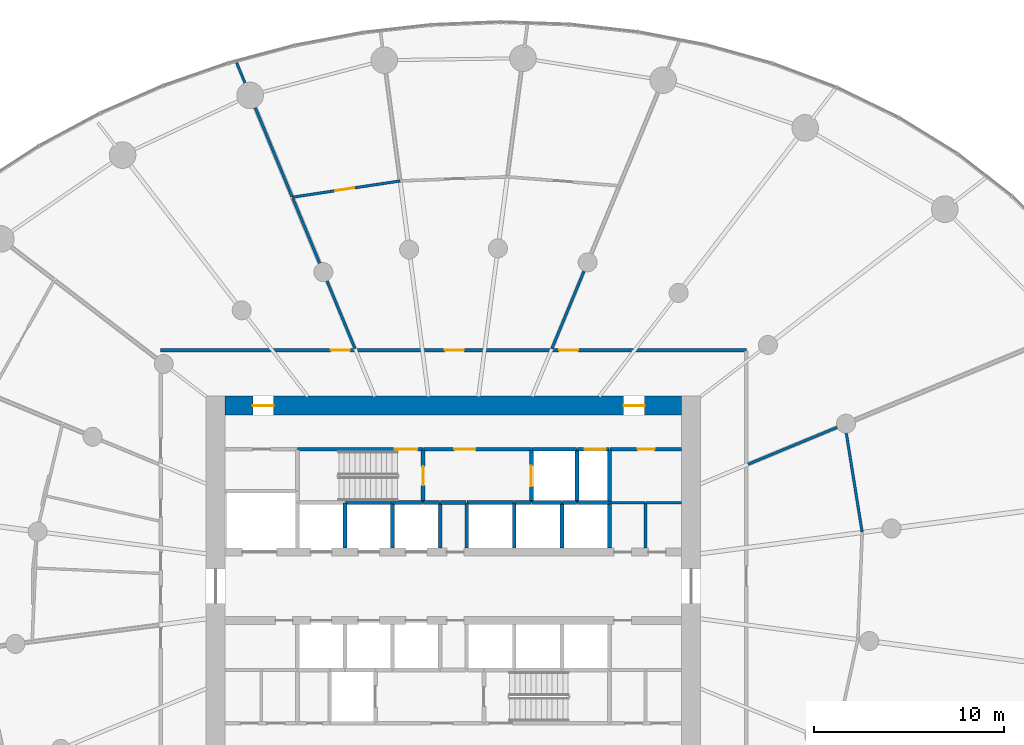
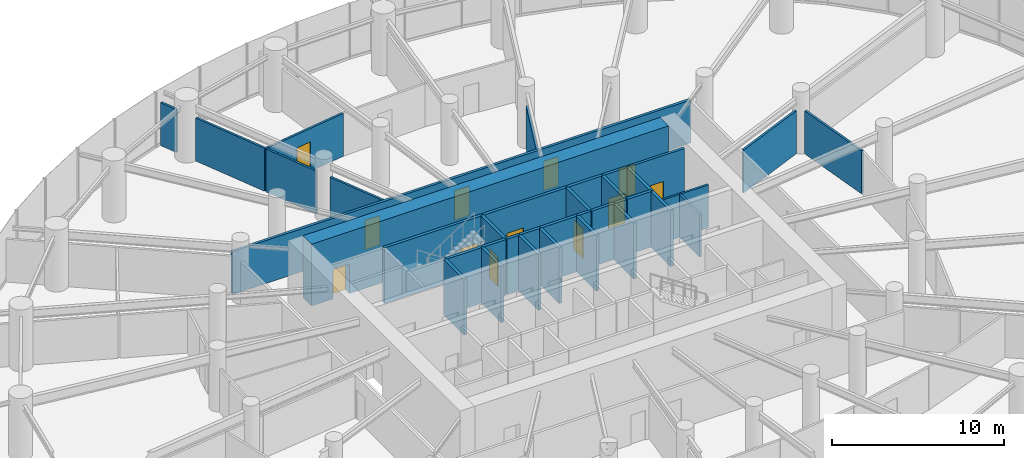
# One storey, part 14 of 18: 38 walls, 12 doors, 12 openings.
"""IFC4 building model written with IfcOpenShell, lengths in metres."""

from ifc_helpers import new_model, si_unit, direction, frame, frame_2d, origin, place, context, subcontext, project, spatial, rectangle, extrude, source, transform, mapped, material, layer, layer_set, type_object, element, fill, save


model = new_model("IFC4")

# Units and contexts
model_context = context("Model", 3, precision=1e-05, world=origin(), true_north=direction((0.0, 1.0)))
body_context = subcontext(model_context, "Body", "Model", "MODEL_VIEW")
ifc_project = project(units=[si_unit("LENGTHUNIT", "METRE"), si_unit("AREAUNIT", "SQUARE_METRE"), si_unit("VOLUMEUNIT", "CUBIC_METRE"), si_unit("PLANEANGLEUNIT", "RADIAN"), si_unit("MASSUNIT", "GRAM", prefix="KILO")], contexts=[model_context])

# Site, building, storey
site_placement = place(None, origin())
site = spatial("IfcSite", under=ifc_project, at=site_placement, CompositionType="ELEMENT")
building_placement = place(site_placement, origin())
building = spatial("IfcBuilding", under=site, at=building_placement, Name="Spindrift Exchange Tower", CompositionType="ELEMENT")
storey_placement = place(building_placement, frame((0.0, 0.0, 40.199951171875)))
storey = spatial("IfcBuildingStorey", under=building, at=storey_placement, Name="L09", CompositionType="ELEMENT", Elevation=40.199951171875)

# Wall, openings, doors
ifc_material_1 = material(Name="Concrete 80 MPa", Category="concrete")
ifc_layer_1 = layer(ifc_material_1, 1.0)
ifc_layer_set_1 = layer_set([ifc_layer_1], Name="RC Core Wall 1000 Concrete 80 MPa")
wall_type_1 = type_object("IfcWallType", Name="RC Core Wall 1000 Concrete 80 MPa", PredefinedType="SHEAR", material=ifc_layer_set_1)
wall_1_placement = place(storey_placement, frame((64.0, 57.5, 0.0), z_axis=(0.0, 0.0, 1.0), x_axis=(-1.0, 0.0, 0.0)))
wall_1 = element("IfcWall", 1, at=wall_1_placement, inside=storey, type_object=wall_type_1, Name="Core wall N L09", PredefinedType="SHEAR", context=body_context, shape_type="SweptSolid", body=[
    extrude(rectangle(XDim=24.0, YDim=1.0, at=frame_2d((12.0, 0.0))), origin(), (0.0, 0.0, 1.0), 4.400146484375),
])
opening_1_placement = place(wall_1_placement, frame((21.449951171875, 0.0, 0.0)))
opening_1 = element("IfcOpeningElement", 2, at=opening_1_placement, cuts=wall_1, Name="Opening L09-D20", PredefinedType="OPENING", context=body_context, shape_type="SweptSolid", body=[
    extrude(rectangle(XDim=1.10009765625, YDim=2.10009765625, at=frame_2d((0.550048828125, 1.050048828125))), frame((0.0, 0.510009765625, 0.0), z_axis=(0.0, -1.0, 0.0), x_axis=(1.0, 0.0, 0.0)), (0.0, 0.0, 1.0), 1.02001953125),
])
opening_2_placement = place(wall_1_placement, frame((1.949951171875, 0.0, 0.0)))
opening_2 = element("IfcOpeningElement", 3, at=opening_2_placement, cuts=wall_1, Name="Opening L09-D21", PredefinedType="OPENING", context=body_context, shape_type="SweptSolid", body=[
    extrude(rectangle(XDim=1.10009765625, YDim=2.10009765625, at=frame_2d((0.550048828125, 1.050048828125))), frame((0.0, 0.510009765625, 0.0), z_axis=(0.0, -1.0, 0.0), x_axis=(1.0, 0.0, 0.0)), (0.0, 0.0, 1.0), 1.02001953125),
])
ifc_material_2 = material(Name="Steel fire door", Category="steel")
door_type_1 = type_object("IfcDoorType", Name="DR-STAIR-1100", OperationType="NOTDEFINED", PredefinedType="DOOR", material=ifc_material_2)
shared_shape_1 = source(origin(), body_context, "Body", "SweptSolid", [
    extrude(rectangle(XDim=1.10009765625, YDim=2.10009765625, at=frame_2d((0.550048828125, 1.050048828125))), frame((0.0, 0.02490234375, 0.0), z_axis=(0.0, -1.0, 0.0), x_axis=(1.0, 0.0, 0.0)), (0.0, 0.0, 1.0), 0.050048828125),
])
door_1_placement = place(opening_1_placement, origin())
door_1 = element("IfcDoor", 4, at=door_1_placement, inside=storey, type_object=door_type_1, Name="L09 Stair door 20", OperationType="SINGLE_SWING_LEFT", OverallHeight=2.10009765625, OverallWidth=1.10009765625, PredefinedType="DOOR", context=body_context, shape_type="MappedRepresentation", body=[
    mapped(shared_shape_1, transform((0.0, 0.0, 0.0), scale=1.0)),
])
fill(opening_1, door_1)
door_2_placement = place(opening_2_placement, origin())
door_2 = element("IfcDoor", 5, at=door_2_placement, inside=storey, type_object=door_type_1, Name="L09 Stair door 21", OperationType="SINGLE_SWING_RIGHT", OverallHeight=2.10009765625, OverallWidth=1.10009765625, PredefinedType="DOOR", context=body_context, shape_type="MappedRepresentation", body=[
    mapped(shared_shape_1, transform((0.0, 0.0, 0.0), scale=1.0)),
])
fill(opening_2, door_2)

ifc_material_3 = material(Name="Fire-rated plasterboard partition", Category="gypsum")
ifc_layer_2 = layer(ifc_material_3, 0.179931640625)
ifc_layer_set_2 = layer_set([ifc_layer_2], Name="W-CORR-180")
wall_type_2 = type_object("IfcWallType", Name="W-CORR-180", PredefinedType="PARTITIONING", material=ifc_layer_set_2)
wall_2_placement = place(storey_placement, frame((36.60009765625, 60.39990234375, 0.0), z_axis=(0.0, 0.0, 1.0), x_axis=(1.0, 0.0, 0.0)))
wall_2 = element("IfcWall", 6, at=wall_2_placement, inside=storey, type_object=wall_type_2, Name="L09 Partition wall 58", PredefinedType="PARTITIONING", context=body_context, shape_type="SweptSolid", body=[
    extrude(rectangle(XDim=30.7998046875, YDim=0.179931640625, at=frame_2d((15.39990234375, 0.0))), origin(), (0.0, 0.0, 1.0), 3.050048828125),
])
opening_3_placement = place(wall_2_placement, frame((20.949951171875, 0.0, 0.0)))
opening_3 = element("IfcOpeningElement", 7, at=opening_3_placement, cuts=wall_2, Name="Opening L09-D37", PredefinedType="OPENING", context=body_context, shape_type="SweptSolid", body=[
    extrude(rectangle(XDim=1.0, YDim=2.10009765625, at=frame_2d((0.5, 1.050048828125))), frame((0.0, 0.099853515625, 0.0), z_axis=(0.0, -1.0, 0.0), x_axis=(1.0, 0.0, 0.0)), (0.0, 0.0, 1.0), 0.199951171875),
])
opening_4_placement = place(wall_2_placement, frame((14.949951171875, 0.0, 0.0)))
opening_4 = element("IfcOpeningElement", 8, at=opening_4_placement, cuts=wall_2, Name="Opening L09-D38", PredefinedType="OPENING", context=body_context, shape_type="SweptSolid", body=[
    extrude(rectangle(XDim=1.0, YDim=2.10009765625, at=frame_2d((0.5, 1.050048828125))), frame((0.0, 0.099853515625, 0.0), z_axis=(0.0, -1.0, 0.0), x_axis=(1.0, 0.0, 0.0)), (0.0, 0.0, 1.0), 0.199951171875),
])
opening_5_placement = place(wall_2_placement, frame((8.949951171875, 0.0, 0.0)))
opening_5 = element("IfcOpeningElement", 9, at=opening_5_placement, cuts=wall_2, Name="Opening L09-D42", PredefinedType="OPENING", context=body_context, shape_type="SweptSolid", body=[
    extrude(rectangle(XDim=1.0, YDim=2.10009765625, at=frame_2d((0.5, 1.050048828125))), frame((0.0, 0.099853515625, 0.0), z_axis=(0.0, -1.0, 0.0), x_axis=(1.0, 0.0, 0.0)), (0.0, 0.0, 1.0), 0.199951171875),
])
ifc_material_4 = material(Name="Timber-core fire door", Category="wood")
door_type_2 = type_object("IfcDoorType", Name="DR-ROOM-1000", OperationType="NOTDEFINED", PredefinedType="DOOR", material=ifc_material_4)
shared_shape_2 = source(origin(), body_context, "Body", "SweptSolid", [
    extrude(rectangle(XDim=1.0, YDim=2.10009765625, at=frame_2d((0.5, 1.050048828125))), frame((0.0, 0.02490234375, 0.0), z_axis=(0.0, -1.0, 0.0), x_axis=(1.0, 0.0, 0.0)), (0.0, 0.0, 1.0), 0.050048828125),
])
door_3_placement = place(opening_3_placement, origin())
door_3 = element("IfcDoor", 10, at=door_3_placement, inside=storey, type_object=door_type_2, Name="L09 Door 37", OperationType="SINGLE_SWING_RIGHT", OverallHeight=2.10009765625, OverallWidth=1.0, PredefinedType="DOOR", context=body_context, shape_type="MappedRepresentation", body=[
    mapped(shared_shape_2, transform((0.0, 0.0, 0.0), scale=1.0)),
])
fill(opening_3, door_3)
door_4_placement = place(opening_4_placement, origin())
door_4 = element("IfcDoor", 11, at=door_4_placement, inside=storey, type_object=door_type_2, Name="L09 Door 38", OperationType="SINGLE_SWING_LEFT", OverallHeight=2.10009765625, OverallWidth=1.0, PredefinedType="DOOR", context=body_context, shape_type="MappedRepresentation", body=[
    mapped(shared_shape_2, transform((0.0, 0.0, 0.0), scale=1.0)),
])
fill(opening_4, door_4)
door_5_placement = place(opening_5_placement, origin())
door_5 = element("IfcDoor", 12, at=door_5_placement, inside=storey, type_object=door_type_2, Name="L09 Door 42", OperationType="SINGLE_SWING_LEFT", OverallHeight=2.10009765625, OverallWidth=1.0, PredefinedType="DOOR", context=body_context, shape_type="MappedRepresentation", body=[
    mapped(shared_shape_2, transform((0.0, 0.0, 0.0), scale=1.0)),
])
fill(opening_5, door_5)

# Wall, opening, door
wall_3_placement = place(storey_placement, frame((63.97998046875, 55.199951171875, 0.0), z_axis=(0.0, 0.0, 1.0), x_axis=(-1.0, 0.0, 0.0)))
wall_3 = element("IfcWall", 13, at=wall_3_placement, inside=storey, type_object=wall_type_2, Name="L09 Partition wall 64", PredefinedType="PARTITIONING", context=body_context, shape_type="SweptSolid", body=[
    extrude(rectangle(XDim=3.75, YDim=0.179931640625, at=frame_2d((1.875, 0.0))), origin(), (0.0, 0.0, 1.0), 3.949951171875),
])
opening_6_placement = place(wall_3_placement, frame((1.39990234375, 0.0, 0.0)))
opening_6 = element("IfcOpeningElement", 14, at=opening_6_placement, cuts=wall_3, Name="Opening L09-D51", PredefinedType="OPENING", context=body_context, shape_type="SweptSolid", body=[
    extrude(rectangle(XDim=0.89990234375, YDim=2.10009765625, at=frame_2d((0.449951171875, 1.050048828125))), frame((0.0, 0.099853515625, 0.0), z_axis=(0.0, -1.0, 0.0), x_axis=(1.0, 0.0, 0.0)), (0.0, 0.0, 1.0), 0.199951171875),
])
ifc_material_5 = material(Name="Steel access door", Category="steel")
door_type_3 = type_object("IfcDoorType", Name="DR-RISER-900", OperationType="NOTDEFINED", PredefinedType="DOOR", material=ifc_material_5)
shared_shape_3 = source(origin(), body_context, "Body", "SweptSolid", [
    extrude(rectangle(XDim=0.89990234375, YDim=2.10009765625, at=frame_2d((0.449951171875, 1.050048828125))), frame((0.0, 0.02490234375, 0.0), z_axis=(0.0, -1.0, 0.0), x_axis=(1.0, 0.0, 0.0)), (0.0, 0.0, 1.0), 0.050048828125),
])
door_6_placement = place(opening_6_placement, origin())
door_6 = element("IfcDoor", 15, at=door_6_placement, inside=storey, type_object=door_type_3, Name="L09 Riser door 51", OperationType="SINGLE_SWING_RIGHT", OverallHeight=2.10009765625, OverallWidth=0.89990234375, PredefinedType="DOOR", context=body_context, shape_type="MappedRepresentation", body=[
    mapped(shared_shape_3, transform((0.0, 0.0, 0.0), scale=1.0)),
])
fill(opening_6, door_6)

ifc_layer_3 = layer(ifc_material_3, 0.139892578125)
ifc_layer_set_3 = layer_set([ifc_layer_3], Name="W-PART-140")
wall_type_3 = type_object("IfcWallType", Name="W-PART-140", PredefinedType="PARTITIONING", material=ifc_layer_set_3)
wall_4_placement = place(storey_placement, frame((43.527099609375, 68.455322265625, 0.0), z_axis=(0.0, 0.0, 1.0), x_axis=(0.988798137766, 0.149258978793, 0.0)))
wall_4 = element("IfcWall", 16, at=wall_4_placement, inside=storey, type_object=wall_type_3, Name="L09 Partition wall 81", PredefinedType="PARTITIONING", context=body_context, shape_type="SweptSolid", body=[
    extrude(rectangle(XDim=5.7314453125, YDim=0.139892578125, at=frame_2d((2.86572265625, 0.0))), origin(), (0.0, 0.0, 1.0), 3.050048828125),
])
opening_7_placement = place(wall_4_placement, frame((2.281494140625, 0.0, 0.0)))
opening_7 = element("IfcOpeningElement", 17, at=opening_7_placement, cuts=wall_4, Name="Opening L09-D41", PredefinedType="OPENING", context=body_context, shape_type="SweptSolid", body=[
    extrude(rectangle(XDim=1.0, YDim=2.10009765625, at=frame_2d((0.5, 1.050048828125))), frame((0.0, 0.079833984375, 0.0), z_axis=(0.0, -1.0, 0.0), x_axis=(1.0, 0.0, 0.0)), (0.0, 0.0, 1.0), 0.159912109375),
])
door_7_placement = place(opening_7_placement, origin())
door_7 = element("IfcDoor", 18, at=door_7_placement, inside=storey, type_object=door_type_2, Name="L09 Door 41", OperationType="SINGLE_SWING_RIGHT", OverallHeight=2.10009765625, OverallWidth=1.0, PredefinedType="DOOR", context=body_context, shape_type="MappedRepresentation", body=[
    mapped(shared_shape_2, transform((0.0, 0.0, 0.0), scale=1.0)),
])
fill(opening_7, door_7)

# Walls
wall_5_placement = place(storey_placement, frame((73.486083984375, 50.85888671875, 0.0), z_axis=(0.0, 0.0, 1.0), x_axis=(-0.158320440448, 0.987387785086, 0.0)))
element("IfcWall", 19, at=wall_5_placement, inside=storey, type_object=wall_type_3, Name="L09 Partition wall 92", PredefinedType="PARTITIONING", context=body_context, shape_type="SweptSolid", body=[
    extrude(rectangle(XDim=5.252197265625, YDim=0.139892578125, at=frame_2d((2.6259765625, 0.0))), origin(), (0.0, 0.0, 1.0), 3.050048828125),
])
wall_6_placement = place(storey_placement, frame((67.489990234375, 54.416259765625, 0.0), z_axis=(0.0, 0.0, 1.0), x_axis=(0.923890025086, 0.382658100067, 0.0)))
element("IfcWall", 20, at=wall_6_placement, inside=storey, type_object=wall_type_3, Name="L09 Partition wall 93", PredefinedType="PARTITIONING", context=body_context, shape_type="SweptSolid", body=[
    extrude(rectangle(XDim=5.068359375, YDim=0.139892578125, at=frame_2d((2.5341796875, 0.0))), origin(), (0.0, 0.0, 1.0), 3.050048828125),
])
wall_7_placement = place(storey_placement, frame((43.515625, 68.48291015625, 0.0), z_axis=(0.0, 0.0, 1.0), x_axis=(-0.382661484527, 0.923888623298, 0.0)))
element("IfcWall", 21, at=wall_7_placement, inside=storey, type_object=wall_type_3, Name="L09 Partition wall 94", PredefinedType="PARTITIONING", context=body_context, shape_type="SweptSolid", body=[
    extrude(rectangle(XDim=5.059326171875, YDim=0.139892578125, at=frame_2d((2.52978515625, 0.0))), origin(), (0.0, 0.0, 1.0), 3.050048828125),
])
wall_8_placement = place(storey_placement, frame((57.173583984375, 60.489990234375, 0.0), z_axis=(0.0, 0.0, 1.0), x_axis=(0.382672831764, 0.923883923353, 0.0)))
element("IfcWall", 22, at=wall_8_placement, inside=storey, type_object=wall_type_3, Name="L09 Partition wall 97", PredefinedType="PARTITIONING", context=body_context, shape_type="SweptSolid", body=[
    extrude(rectangle(XDim=4.410400390625, YDim=0.139892578125, at=frame_2d((2.205078125, 0.0))), origin(), (0.0, 0.0, 1.0), 3.050048828125),
])
wall_9_placement = place(storey_placement, frame((46.826416015625, 60.489990234375, 0.0), z_axis=(0.0, 0.0, 1.0), x_axis=(-0.382644558062, 0.923895633817, 0.0)))
element("IfcWall", 23, at=wall_9_placement, inside=storey, type_object=wall_type_3, Name="L09 Partition wall 99", PredefinedType="PARTITIONING", context=body_context, shape_type="SweptSolid", body=[
    extrude(rectangle(XDim=3.854248046875, YDim=0.139892578125, at=frame_2d((1.92724609375, 0.0))), origin(), (0.0, 0.0, 1.0), 3.050048828125),
])
wall_10_placement = place(storey_placement, frame((44.965087890625, 64.984130859375, 0.0), z_axis=(0.0, 0.0, 1.0), x_axis=(-0.382728210893, 0.923860983366, 0.0)))
element("IfcWall", 24, at=wall_10_placement, inside=storey, type_object=wall_type_3, Name="L09 Partition wall 101", PredefinedType="PARTITIONING", context=body_context, shape_type="SweptSolid", body=[
    extrude(rectangle(XDim=3.68505859375, YDim=0.139892578125, at=frame_2d((1.842529296875, 0.0))), origin(), (0.0, 0.0, 1.0), 3.050048828125),
])
wall_11_placement = place(storey_placement, frame((62.10009765625, 50.010009765625, 0.0), z_axis=(0.0, 0.0, 1.0), x_axis=(0.0, 1.0, 0.0)))
element("IfcWall", 25, at=wall_11_placement, inside=storey, type_object=wall_type_3, Name="L09 Partition wall 112", PredefinedType="PARTITIONING", context=body_context, shape_type="SweptSolid", body=[
    extrude(rectangle(XDim=2.389892578125, YDim=0.139892578125, at=frame_2d((1.19482421875, 0.0))), origin(), (0.0, 0.0, 1.0), 3.050048828125),
])
wall_12_placement = place(storey_placement, frame((62.070068359375, 52.39990234375, 0.0), z_axis=(0.0, 0.0, 1.0), x_axis=(-1.0, 0.0, 0.0)))
element("IfcWall", 26, at=wall_12_placement, inside=storey, type_object=wall_type_3, Name="L09 Partition wall 119", PredefinedType="PARTITIONING", context=body_context, shape_type="SweptSolid", body=[
    extrude(rectangle(XDim=1.840087890625, YDim=0.139892578125, at=frame_2d((0.919921875, 0.0))), origin(), (0.0, 0.0, 1.0), 3.050048828125),
])
wall_13_placement = place(storey_placement, frame((63.97998046875, 52.39990234375, 0.0), z_axis=(0.0, 0.0, 1.0), x_axis=(-1.0, 0.0, 0.0)))
element("IfcWall", 27, at=wall_13_placement, inside=storey, type_object=wall_type_3, Name="L09 Partition wall 122", PredefinedType="PARTITIONING", context=body_context, shape_type="SweptSolid", body=[
    extrude(rectangle(XDim=1.85009765625, YDim=0.139892578125, at=frame_2d((0.925048828125, 0.0))), origin(), (0.0, 0.0, 1.0), 3.050048828125),
])
wall_14_placement = place(storey_placement, frame((41.039794921875, 74.4599609375, 0.0), z_axis=(0.0, 0.0, 1.0), x_axis=(-0.382506735336, 0.923952703022, 0.0)))
element("IfcWall", 28, at=wall_14_placement, inside=storey, type_object=wall_type_3, Name="L09 Partition wall 130", PredefinedType="PARTITIONING", context=body_context, shape_type="SweptSolid", body=[
    extrude(rectangle(XDim=1.15966796875, YDim=0.139892578125, at=frame_2d((0.579833984375, 0.0))), origin(), (0.0, 0.0, 1.0), 3.050048828125),
])

# Wall, opening, door
ifc_material_6 = material(Name="Concrete 40 MPa", Category="concrete")
ifc_layer_4 = layer(ifc_material_6, 0.199951171875)
ifc_layer_set_4 = layer_set([ifc_layer_4], Name="W-SHAFT-200")
wall_type_4 = type_object("IfcWallType", Name="W-SHAFT-200", PredefinedType="SOLIDWALL", material=ifc_layer_set_4)
wall_15_placement = place(storey_placement, frame((56.10009765625, 55.169921875, 0.0), z_axis=(0.0, 0.0, 1.0), x_axis=(0.0, -1.0, 0.0)))
wall_15 = element("IfcWall", 29, at=wall_15_placement, inside=storey, type_object=wall_type_4, Name="L09 Shaft wall 12", PredefinedType="SOLIDWALL", context=body_context, shape_type="SweptSolid", body=[
    extrude(rectangle(XDim=2.77001953125, YDim=0.199951171875, at=frame_2d((1.385009765625, 0.0))), origin(), (0.0, 0.0, 1.0), 3.949951171875),
])
opening_8_placement = place(wall_15_placement, frame((0.820068359375, 0.0, 0.0)))
opening_8 = element("IfcOpeningElement", 30, at=opening_8_placement, cuts=wall_15, Name="Opening L09-D9", PredefinedType="OPENING", context=body_context, shape_type="SweptSolid", body=[
    extrude(rectangle(XDim=1.10009765625, YDim=2.10009765625, at=frame_2d((0.550048828125, 1.050048828125))), frame((0.0, 0.10986328125, 0.0), z_axis=(0.0, -1.0, 0.0), x_axis=(1.0, 0.0, 0.0)), (0.0, 0.0, 1.0), 0.219970703125),
])
ifc_material_7 = material(Name="Stainless steel landing door", Category="steel")
door_type_4 = type_object("IfcDoorType", Name="DR-LANDING-1100-SL", OperationType="DOUBLE_DOOR_SLIDING", PredefinedType="USERDEFINED", material=ifc_material_7)
shared_shape_4 = source(origin(), body_context, "Body", "SweptSolid", [
    extrude(rectangle(XDim=1.10009765625, YDim=2.10009765625, at=frame_2d((0.550048828125, 1.050048828125))), frame((0.0, 0.02490234375, 0.0), z_axis=(0.0, -1.0, 0.0), x_axis=(1.0, 0.0, 0.0)), (0.0, 0.0, 1.0), 0.050048828125),
])
door_8_placement = place(opening_8_placement, origin())
door_8 = element("IfcDoor", 31, at=door_8_placement, inside=storey, type_object=door_type_4, Name="L09 Lift landing door 9", ObjectType="LANDING DOOR", OperationType="DOUBLE_DOOR_SLIDING", OverallHeight=2.10009765625, OverallWidth=1.10009765625, PredefinedType="USERDEFINED", context=body_context, shape_type="MappedRepresentation", body=[
    mapped(shared_shape_4, transform((0.0, 0.0, 0.0), scale=1.0)),
])
fill(opening_8, door_8)

# Walls
for number, where, z_axis, x_axis, name in (
    (32, (58.5, 52.39990234375, 0.0), (0.0, 0.0, 1.0), (0.0, 1.0, 0.0), "L09 Shaft wall 13"),
    (33, (60.199951171875, 52.39990234375, 0.0), (0.0, 0.0, 1.0), (0.0, 1.0, 0.0), "L09 Shaft wall 14"),
):
    element("IfcWall", number, at=place(storey_placement, frame(where, z_axis=z_axis, x_axis=x_axis)), inside=storey, type_object=wall_type_4, Name=name, PredefinedType="SOLIDWALL", context=body_context, shape_type="SweptSolid", body=[
        extrude(rectangle(XDim=2.800048828125, YDim=0.199951171875, at=frame_2d((1.39990234375, 0.0))), origin(), (0.0, 0.0, 1.0), 3.949951171875),
    ])
wall_16_placement = place(storey_placement, frame((55.199951171875, 52.39990234375, 0.0), z_axis=(0.0, 0.0, 1.0), x_axis=(-1.0, 0.0, 0.0)))
element("IfcWall", 34, at=wall_16_placement, inside=storey, type_object=wall_type_4, Name="L09 Shaft wall 18", PredefinedType="SOLIDWALL", context=body_context, shape_type="SweptSolid", body=[
    extrude(rectangle(XDim=2.5, YDim=0.199951171875, at=frame_2d((1.25, 0.0))), origin(), (0.0, 0.0, 1.0), 3.949951171875),
])
wall_17_placement = place(storey_placement, frame((58.469970703125, 55.199951171875, 0.0), z_axis=(0.0, 0.0, 1.0), x_axis=(-1.0, 0.0, 0.0)))
element("IfcWall", 35, at=wall_17_placement, inside=storey, type_object=wall_type_4, Name="L09 Shaft wall 22", PredefinedType="SOLIDWALL", context=body_context, shape_type="SweptSolid", body=[
    extrude(rectangle(XDim=2.340087890625, YDim=0.199951171875, at=frame_2d((1.169921875, 0.0))), origin(), (0.0, 0.0, 1.0), 3.949951171875),
])
wall_18_placement = place(storey_placement, frame((51.300048828125, 50.010009765625, 0.0), z_axis=(0.0, 0.0, 1.0), x_axis=(0.0, 1.0, 0.0)))
element("IfcWall", 36, at=wall_18_placement, inside=storey, type_object=wall_type_4, Name="L09 Shaft wall 30", PredefinedType="SOLIDWALL", context=body_context, shape_type="SweptSolid", body=[
    extrude(rectangle(XDim=2.389892578125, YDim=0.199951171875, at=frame_2d((1.19482421875, 0.0))), origin(), (0.0, 0.0, 1.0), 3.949951171875),
])
for number, where, z_axis, x_axis, name in (
    (37, (52.699951171875, 52.3701171875, 0.0), (0.0, 0.0, 1.0), (0.0, -1.0, 0.0), "L09 Shaft wall 32"),
    (38, (55.199951171875, 50.010009765625, 0.0), (0.0, 0.0, 1.0), (0.0, 1.0, 0.0), "L09 Shaft wall 34"),
):
    element("IfcWall", number, at=place(storey_placement, frame(where, z_axis=z_axis, x_axis=x_axis)), inside=storey, type_object=wall_type_4, Name=name, PredefinedType="SOLIDWALL", context=body_context, shape_type="SweptSolid", body=[
        extrude(rectangle(XDim=2.360107421875, YDim=0.199951171875, at=frame_2d((1.18017578125, 0.0))), origin(), (0.0, 0.0, 1.0), 3.949951171875),
    ])
wall_19_placement = place(storey_placement, frame((57.699951171875, 50.010009765625, 0.0), z_axis=(0.0, 0.0, 1.0), x_axis=(0.0, 1.0, 0.0)))
element("IfcWall", 39, at=wall_19_placement, inside=storey, type_object=wall_type_4, Name="L09 Shaft wall 36", PredefinedType="SOLIDWALL", context=body_context, shape_type="SweptSolid", body=[
    extrude(rectangle(XDim=2.389892578125, YDim=0.199951171875, at=frame_2d((1.19482421875, 0.0))), origin(), (0.0, 0.0, 1.0), 3.949951171875),
])
wall_20_placement = place(storey_placement, frame((60.199951171875, 50.010009765625, 0.0), z_axis=(0.0, 0.0, 1.0), x_axis=(0.0, 1.0, 0.0)))
element("IfcWall", 40, at=wall_20_placement, inside=storey, type_object=wall_type_4, Name="L09 Shaft wall 38", PredefinedType="SOLIDWALL", context=body_context, shape_type="SweptSolid", body=[
    extrude(rectangle(XDim=2.360107421875, YDim=0.199951171875, at=frame_2d((1.18017578125, 0.0))), origin(), (0.0, 0.0, 1.0), 3.949951171875),
])
wall_21_placement = place(storey_placement, frame((60.169921875, 52.39990234375, 0.0), z_axis=(0.0, 0.0, 1.0), x_axis=(-1.0, 0.0, 0.0)))
element("IfcWall", 41, at=wall_21_placement, inside=storey, type_object=wall_type_4, Name="L09 Shaft wall 42", PredefinedType="SOLIDWALL", context=body_context, shape_type="SweptSolid", body=[
    extrude(rectangle(XDim=1.639892578125, YDim=0.199951171875, at=frame_2d((0.81982421875, 0.0))), origin(), (0.0, 0.0, 1.0), 3.949951171875),
])

# Wall, opening, door
wall_22_placement = place(storey_placement, frame((60.169921875, 55.199951171875, 0.0), z_axis=(0.0, 0.0, 1.0), x_axis=(-1.0, 0.0, 0.0)))
wall_22 = element("IfcWall", 42, at=wall_22_placement, inside=storey, type_object=wall_type_4, Name="L09 Shaft wall 43", PredefinedType="SOLIDWALL", context=body_context, shape_type="SweptSolid", body=[
    extrude(rectangle(XDim=1.639892578125, YDim=0.199951171875, at=frame_2d((0.81982421875, 0.0))), origin(), (0.0, 0.0, 1.0), 3.949951171875),
])
opening_9_placement = place(wall_22_placement, frame((0.169921875, 0.0, 0.0)))
opening_9 = element("IfcOpeningElement", 43, at=opening_9_placement, cuts=wall_22, Name="Opening L09-D11", PredefinedType="OPENING", context=body_context, shape_type="SweptSolid", body=[
    extrude(rectangle(XDim=1.10009765625, YDim=2.10009765625, at=frame_2d((0.550048828125, 1.050048828125))), frame((0.0, 0.10986328125, 0.0), z_axis=(0.0, -1.0, 0.0), x_axis=(1.0, 0.0, 0.0)), (0.0, 0.0, 1.0), 0.219970703125),
])
door_9_placement = place(opening_9_placement, origin())
door_9 = element("IfcDoor", 44, at=door_9_placement, inside=storey, type_object=door_type_4, Name="L09 Lift landing door 11", ObjectType="LANDING DOOR", OperationType="DOUBLE_DOOR_SLIDING", OverallHeight=2.10009765625, OverallWidth=1.10009765625, PredefinedType="USERDEFINED", context=body_context, shape_type="MappedRepresentation", body=[
    mapped(shared_shape_4, transform((0.0, 0.0, 0.0), scale=1.0)),
])
fill(opening_9, door_9)

# Walls
wall_23_placement = place(storey_placement, frame((57.669921875, 52.39990234375, 0.0), z_axis=(0.0, 0.0, 1.0), x_axis=(-1.0, 0.0, 0.0)))
element("IfcWall", 45, at=wall_23_placement, inside=storey, type_object=wall_type_4, Name="L09 Shaft wall 47", PredefinedType="SOLIDWALL", context=body_context, shape_type="SweptSolid", body=[
    extrude(rectangle(XDim=1.5400390625, YDim=0.199951171875, at=frame_2d((0.77001953125, 0.0))), origin(), (0.0, 0.0, 1.0), 3.949951171875),
])
wall_24_placement = place(storey_placement, frame((51.330078125, 52.39990234375, 0.0), z_axis=(0.0, 0.0, 1.0), x_axis=(1.0, 0.0, 0.0)))
element("IfcWall", 46, at=wall_24_placement, inside=storey, type_object=wall_type_4, Name="L09 Shaft wall 49", PredefinedType="SOLIDWALL", context=body_context, shape_type="SweptSolid", body=[
    extrude(rectangle(XDim=1.33984375, YDim=0.199951171875, at=frame_2d((0.669921875, 0.0))), origin(), (0.0, 0.0, 1.0), 3.949951171875),
])
wall_25_placement = place(storey_placement, frame((56.070068359375, 52.39990234375, 0.0), z_axis=(0.0, 0.0, 1.0), x_axis=(-1.0, 0.0, 0.0)))
element("IfcWall", 47, at=wall_25_placement, inside=storey, type_object=wall_type_4, Name="L09 Shaft wall 53", PredefinedType="SOLIDWALL", context=body_context, shape_type="SweptSolid", body=[
    extrude(rectangle(XDim=0.840087890625, YDim=0.199951171875, at=frame_2d((0.419921875, 0.0))), origin(), (0.0, 0.0, 1.0), 3.949951171875),
])
wall_26_placement = place(storey_placement, frame((58.469970703125, 52.39990234375, 0.0), z_axis=(0.0, 0.0, 1.0), x_axis=(-1.0, 0.0, 0.0)))
element("IfcWall", 48, at=wall_26_placement, inside=storey, type_object=wall_type_4, Name="L09 Shaft wall 55", PredefinedType="SOLIDWALL", context=body_context, shape_type="SweptSolid", body=[
    extrude(rectangle(XDim=0.739990234375, YDim=0.199951171875, at=frame_2d((0.3701171875, 0.0))), origin(), (0.0, 0.0, 1.0), 3.949951171875),
])

# Wall, opening, door
ifc_layer_5 = layer(ifc_material_6, 0.199951171875)
ifc_layer_set_5 = layer_set([ifc_layer_5], Name="W-SHAFT-200-LB")
wall_type_5 = type_object("IfcWallType", Name="W-SHAFT-200-LB", PredefinedType="SOLIDWALL", material=ifc_layer_set_5)
wall_27_placement = place(storey_placement, frame((50.39990234375, 55.199951171875, 0.0), z_axis=(0.0, 0.0, 1.0), x_axis=(-1.0, 0.0, 0.0)))
wall_27 = element("IfcWall", 49, at=wall_27_placement, inside=storey, type_object=wall_type_5, Name="L09 Shaft wall 1", PredefinedType="SOLIDWALL", context=body_context, shape_type="SweptSolid", body=[
    extrude(rectangle(XDim=6.599853515625, YDim=0.199951171875, at=frame_2d((3.2998046875, 0.0))), origin(), (0.0, 0.0, 1.0), 3.949951171875),
])
opening_10_placement = place(wall_27_placement, frame((0.300048828125, 0.0, 0.0)))
opening_10 = element("IfcOpeningElement", 50, at=opening_10_placement, cuts=wall_27, Name="Opening L09-D13", PredefinedType="OPENING", context=body_context, shape_type="SweptSolid", body=[
    extrude(rectangle(XDim=1.199951171875, YDim=2.10009765625, at=frame_2d((0.60009765625, 1.050048828125))), frame((0.0, 0.10986328125, 0.0), z_axis=(0.0, -1.0, 0.0), x_axis=(1.0, 0.0, 0.0)), (0.0, 0.0, 1.0), 0.219970703125),
])
door_type_5 = type_object("IfcDoorType", Name="DR-STAIR-1200", OperationType="NOTDEFINED", PredefinedType="DOOR", material=ifc_material_2)
shared_shape_5 = source(origin(), body_context, "Body", "SweptSolid", [
    extrude(rectangle(XDim=1.199951171875, YDim=2.10009765625, at=frame_2d((0.60009765625, 1.050048828125))), frame((0.0, 0.02490234375, 0.0), z_axis=(0.0, -1.0, 0.0), x_axis=(1.0, 0.0, 0.0)), (0.0, 0.0, 1.0), 0.050048828125),
])
door_10_placement = place(opening_10_placement, origin())
door_10 = element("IfcDoor", 51, at=door_10_placement, inside=storey, type_object=door_type_5, Name="L09 Stair door 13", OperationType="SINGLE_SWING_RIGHT", OverallHeight=2.10009765625, OverallWidth=1.199951171875, PredefinedType="DOOR", context=body_context, shape_type="MappedRepresentation", body=[
    mapped(shared_shape_5, transform((0.0, 0.0, 0.0), scale=1.0)),
])
fill(opening_10, door_10)

wall_28_placement = place(storey_placement, frame((56.10009765625, 55.199951171875, 0.0), z_axis=(0.0, 0.0, 1.0), x_axis=(-1.0, 0.0, 0.0)))
wall_28 = element("IfcWall", 52, at=wall_28_placement, inside=storey, type_object=wall_type_5, Name="L09 Shaft wall 4", PredefinedType="SOLIDWALL", context=body_context, shape_type="SweptSolid", body=[
    extrude(rectangle(XDim=5.670166015625, YDim=0.199951171875, at=frame_2d((2.8349609375, 0.0))), origin(), (0.0, 0.0, 1.0), 3.949951171875),
])
opening_11_placement = place(wall_28_placement, frame((2.949951171875, 0.0, 0.0)))
opening_11 = element("IfcOpeningElement", 53, at=opening_11_placement, cuts=wall_28, Name="Opening L09-D15", PredefinedType="OPENING", context=body_context, shape_type="SweptSolid", body=[
    extrude(rectangle(XDim=1.10009765625, YDim=2.10009765625, at=frame_2d((0.550048828125, 1.050048828125))), frame((0.0, 0.10986328125, 0.0), z_axis=(0.0, -1.0, 0.0), x_axis=(1.0, 0.0, 0.0)), (0.0, 0.0, 1.0), 0.219970703125),
])
door_type_6 = type_object("IfcDoorType", Name="DR-LOBBY-1100", OperationType="NOTDEFINED", PredefinedType="DOOR", material=ifc_material_4)
shared_shape_6 = source(origin(), body_context, "Body", "SweptSolid", [
    extrude(rectangle(XDim=1.10009765625, YDim=2.10009765625, at=frame_2d((0.550048828125, 1.050048828125))), frame((0.0, 0.02490234375, 0.0), z_axis=(0.0, -1.0, 0.0), x_axis=(1.0, 0.0, 0.0)), (0.0, 0.0, 1.0), 0.050048828125),
])
door_11_placement = place(opening_11_placement, origin())
door_11 = element("IfcDoor", 54, at=door_11_placement, inside=storey, type_object=door_type_6, Name="L09 Lobby door 15", OperationType="SINGLE_SWING_RIGHT", OverallHeight=2.10009765625, OverallWidth=1.10009765625, PredefinedType="DOOR", context=body_context, shape_type="MappedRepresentation", body=[
    mapped(shared_shape_6, transform((0.0, 0.0, 0.0), scale=1.0)),
])
fill(opening_11, door_11)

wall_29_placement = place(storey_placement, frame((50.39990234375, 52.39990234375, 0.0), z_axis=(0.0, 0.0, 1.0), x_axis=(0.0, 1.0, 0.0)))
wall_29 = element("IfcWall", 55, at=wall_29_placement, inside=storey, type_object=wall_type_5, Name="L09 Shaft wall 9", PredefinedType="SOLIDWALL", context=body_context, shape_type="SweptSolid", body=[
    extrude(rectangle(XDim=2.77001953125, YDim=0.199951171875, at=frame_2d((1.385009765625, 0.0))), origin(), (0.0, 0.0, 1.0), 3.949951171875),
])
opening_12_placement = place(wall_29_placement, frame((0.89990234375, 0.0, 0.0)))
opening_12 = element("IfcOpeningElement", 56, at=opening_12_placement, cuts=wall_29, Name="Opening L09-D14", PredefinedType="OPENING", context=body_context, shape_type="SweptSolid", body=[
    extrude(rectangle(XDim=1.0, YDim=2.10009765625, at=frame_2d((0.5, 1.050048828125))), frame((0.0, 0.10986328125, 0.0), z_axis=(0.0, -1.0, 0.0), x_axis=(1.0, 0.0, 0.0)), (0.0, 0.0, 1.0), 0.219970703125),
])
door_type_7 = type_object("IfcDoorType", Name="DR-STAIR-1000", OperationType="NOTDEFINED", PredefinedType="DOOR", material=ifc_material_2)
shared_shape_7 = source(origin(), body_context, "Body", "SweptSolid", [
    extrude(rectangle(XDim=1.0, YDim=2.10009765625, at=frame_2d((0.5, 1.050048828125))), frame((0.0, 0.02490234375, 0.0), z_axis=(0.0, -1.0, 0.0), x_axis=(1.0, 0.0, 0.0)), (0.0, 0.0, 1.0), 0.050048828125),
])
door_12_placement = place(opening_12_placement, origin())
door_12 = element("IfcDoor", 57, at=door_12_placement, inside=storey, type_object=door_type_7, Name="L09 Stair door 14", OperationType="SINGLE_SWING_LEFT", OverallHeight=2.10009765625, OverallWidth=1.0, PredefinedType="DOOR", context=body_context, shape_type="MappedRepresentation", body=[
    mapped(shared_shape_7, transform((0.0, 0.0, 0.0), scale=1.0)),
])
fill(opening_12, door_12)

# Walls
wall_30_placement = place(storey_placement, frame((48.800048828125, 52.39990234375, 0.0), z_axis=(0.0, 0.0, 1.0), x_axis=(-1.0, 0.0, 0.0)))
element("IfcWall", 58, at=wall_30_placement, inside=storey, type_object=wall_type_5, Name="L09 Shaft wall 16", PredefinedType="SOLIDWALL", context=body_context, shape_type="SweptSolid", body=[
    extrude(rectangle(XDim=2.469970703125, YDim=0.199951171875, at=frame_2d((1.23486328125, 0.0))), origin(), (0.0, 0.0, 1.0), 3.949951171875),
])
for number, where, z_axis, x_axis, name in (
    (59, (46.300048828125, 50.010009765625, 0.0), (0.0, 0.0, 1.0), (0.0, 1.0, 0.0), "L09 Shaft wall 26"),
    (60, (48.800048828125, 50.010009765625, 0.0), (0.0, 0.0, 1.0), (0.0, 1.0, 0.0), "L09 Shaft wall 28"),
):
    element("IfcWall", number, at=place(storey_placement, frame(where, z_axis=z_axis, x_axis=x_axis)), inside=storey, type_object=wall_type_5, Name=name, PredefinedType="SOLIDWALL", context=body_context, shape_type="SweptSolid", body=[
        extrude(rectangle(XDim=2.360107421875, YDim=0.199951171875, at=frame_2d((1.18017578125, 0.0))), origin(), (0.0, 0.0, 1.0), 3.949951171875),
    ])
wall_31_placement = place(storey_placement, frame((50.3701171875, 52.39990234375, 0.0), z_axis=(0.0, 0.0, 1.0), x_axis=(-1.0, 0.0, 0.0)))
element("IfcWall", 61, at=wall_31_placement, inside=storey, type_object=wall_type_5, Name="L09 Shaft wall 45", PredefinedType="SOLIDWALL", context=body_context, shape_type="SweptSolid", body=[
    extrude(rectangle(XDim=1.5400390625, YDim=0.199951171875, at=frame_2d((0.77001953125, 0.0))), origin(), (0.0, 0.0, 1.0), 3.949951171875),
])
wall_32_placement = place(storey_placement, frame((51.27001953125, 52.39990234375, 0.0), z_axis=(0.0, 0.0, 1.0), x_axis=(-1.0, 0.0, 0.0)))
element("IfcWall", 62, at=wall_32_placement, inside=storey, type_object=wall_type_5, Name="L09 Shaft wall 51", PredefinedType="SOLIDWALL", context=body_context, shape_type="SweptSolid", body=[
    extrude(rectangle(XDim=0.840087890625, YDim=0.199951171875, at=frame_2d((0.419921875, 0.0))), origin(), (0.0, 0.0, 1.0), 3.949951171875),
])

save(model, "model.ifc")
